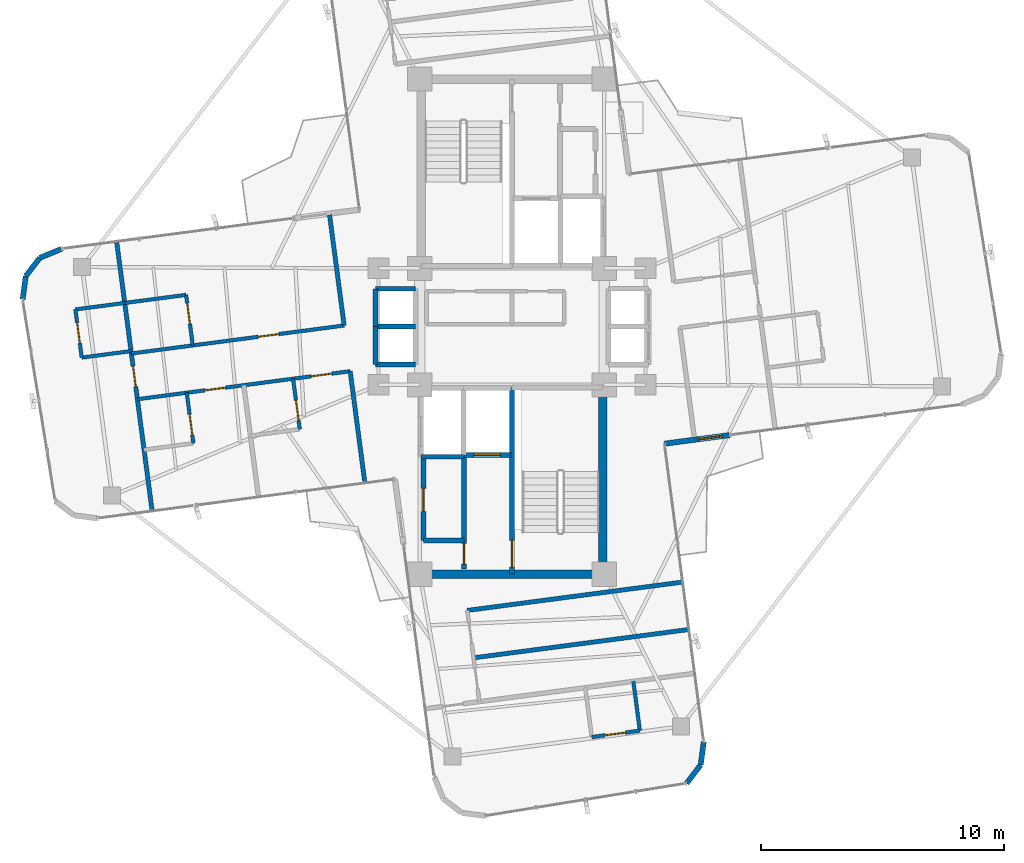
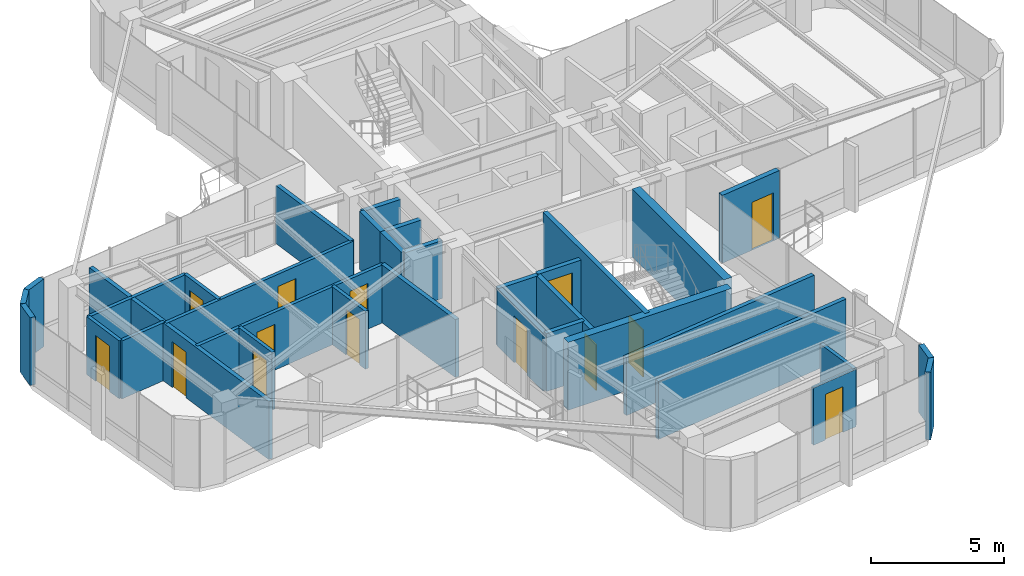
# One storey, part 19 of 22: 35 walls, 14 doors, 14 openings.
"""IFC4 building model written with IfcOpenShell, lengths in metres."""

from ifc_helpers import new_model, si_unit, direction, frame, frame_2d, origin, origin_2d, place, context, subcontext, project, spatial, rectangle, extrude, source, transform, mapped, material, layer, layer_set, type_object, element, fill, save


model = new_model("IFC4")

# Units and contexts
model_context = context("Model", 3, precision=1e-05, world=origin(), true_north=direction((0.0, 1.0)))
body_context = subcontext(model_context, "Body", "Model", "MODEL_VIEW")
ifc_project = project(units=[si_unit("LENGTHUNIT", "METRE"), si_unit("AREAUNIT", "SQUARE_METRE"), si_unit("VOLUMEUNIT", "CUBIC_METRE"), si_unit("PLANEANGLEUNIT", "RADIAN"), si_unit("MASSUNIT", "GRAM", prefix="KILO")], contexts=[model_context])

# Site, building, storey
site_placement = place(None, origin())
site = spatial("IfcSite", under=ifc_project, at=site_placement, CompositionType="ELEMENT")
building_placement = place(site_placement, origin())
building = spatial("IfcBuilding", under=site, at=building_placement, Name="Sahyath Konkavel Grand Hotel", CompositionType="ELEMENT")
storey_placement = place(building_placement, frame((0.0, 0.0, 257.89990234375)))
storey = spatial("IfcBuildingStorey", under=building, at=storey_placement, Name="L72", CompositionType="ELEMENT", Elevation=257.89990234375)

# Walls
ifc_material_1 = material(Name="Concrete C40/50", Category="concrete")
ifc_layer_1 = layer(ifc_material_1, 0.35009765625)
ifc_layer_set_1 = layer_set([ifc_layer_1], Name="Concrete C40/50")
wall_type_1 = type_object("IfcWallType", Name="CWALL-350", PredefinedType="SHEAR", material=ifc_layer_set_1)
wall_1_placement = place(storey_placement, frame((-3.550048828125, -10.199951171875, 0.0), z_axis=(0.0, 0.0, 1.0), x_axis=(1.0, 0.0, 0.0)))
element("IfcWall", 1, at=wall_1_placement, inside=storey, type_object=wall_type_1, Name="L72 South Core Shear Wall S", PredefinedType="SHEAR", context=body_context, shape_type="SweptSolid", body=[
    extrude(rectangle(XDim=7.10009765625, YDim=0.35009765625, at=frame_2d((3.550048828125, 0.0))), origin(), (0.0, 0.0, 1.0), 3.110107421875),
])
wall_2_placement = place(storey_placement, frame((3.739990234375, -9.75, 0.0), z_axis=(0.0, 0.0, 1.0), x_axis=(0.0, 1.0, 0.0)))
element("IfcWall", 2, at=wall_2_placement, inside=storey, type_object=wall_type_1, Name="L72 South Core Shear Wall E", PredefinedType="SHEAR", context=body_context, shape_type="SweptSolid", body=[
    extrude(rectangle(XDim=6.89990234375, YDim=0.35009765625, at=frame_2d((3.449951171875, 0.0))), origin(), (0.0, 0.0, 1.0), 3.110107421875),
])

# Wall, opening, door
ifc_material_2 = material(Name="Warm Buff Sandstone Insulated Concrete C40/50", Category="masonry")
ifc_layer_2 = layer(ifc_material_2, 0.219970703125)
ifc_layer_set_2 = layer_set([ifc_layer_2], Name="Warm Buff Sandstone Insulated Concrete C40/50")
wall_type_2 = type_object("IfcWallType", Name="WLL-BALC-THRESH", PredefinedType="STANDARD", material=ifc_layer_set_2)
wall_3_placement = place(storey_placement, frame((6.282958984375, -4.821044921875, 0.0), z_axis=(0.0, 0.0, 1.0), x_axis=(0.991451525486, 0.130475563272, 0.0)))
wall_3 = element("IfcWall", 3, at=wall_3_placement, inside=storey, type_object=wall_type_2, Name="L72 Winter-Garden Threshold Wall 0", PredefinedType="STANDARD", context=body_context, shape_type="SweptSolid", body=[
    extrude(rectangle(XDim=2.7001953125, YDim=0.219970703125, at=frame_2d((1.35009765625, 0.0))), origin(), (0.0, 0.0, 1.0), 3.110107421875),
])
opening_1_placement = place(wall_3_placement, frame((1.39990234375, 0.0, 0.0)))
opening_1 = element("IfcOpeningElement", 4, at=opening_1_placement, cuts=wall_3, Name="Opening D-TR1", PredefinedType="OPENING", context=body_context, shape_type="SweptSolid", body=[
    extrude(rectangle(XDim=1.0, YDim=2.199951171875, at=frame_2d((0.5, 1.10009765625))), frame((0.0, 0.1201171875, 0.0), z_axis=(0.0, -1.0, 0.0), x_axis=(1.0, 0.0, 0.0)), (0.0, 0.0, 1.0), 0.239990234375),
])
ifc_material_3 = material(Name="Anodised Bronze Aluminium & Low-E Glazing", Category="aluminium")
door_type_1 = type_object("IfcDoorType", Name="DR-TERRACE-1000", OperationType="NOTDEFINED", PredefinedType="DOOR", material=ifc_material_3)
shared_shape_1 = source(origin(), body_context, "Body", "SweptSolid", [
    extrude(rectangle(XDim=1.0, YDim=0.050048828125, at=origin_2d()), origin(), (0.0, 0.0, 1.0), 2.199951171875),
])
door_1_placement = place(opening_1_placement, frame((0.5, 0.0, 0.0)))
door_1 = element("IfcDoor", 5, at=door_1_placement, inside=storey, type_object=door_type_1, Name="L72 Winter-Garden Terrace Door 0", OperationType="SINGLE_SWING_LEFT", OverallHeight=2.199951171875, OverallWidth=1.0, PredefinedType="DOOR", context=body_context, shape_type="MappedRepresentation", body=[
    mapped(shared_shape_1, transform((0.0, 0.0, 0.0), scale=1.0)),
])
fill(opening_1, door_1)

# Walls
wall_4_placement = place(storey_placement, frame((-18.56689453125, 3.203857421875, 0.0), z_axis=(0.0, 0.0, 1.0), x_axis=(-0.923926759112, -0.382569397359, 0.0)))
element("IfcWall", 6, at=wall_4_placement, inside=storey, type_object=wall_type_2, Name="L72 Rounded Corner Sandstone Pier 17", PredefinedType="STANDARD", context=body_context, shape_type="SweptSolid", body=[
    extrude(rectangle(XDim=0.957763671875, YDim=0.219970703125, at=frame_2d((0.47900390625, 0.0))), origin(), (0.0, 0.0, 1.0), 3.110107421875),
])
for number, where, z_axis, x_axis, name in (
    (7, (-19.451904296875, 2.83740234375, 0.0), (0.0, 0.0, 1.0), (-0.60861352168, -0.793466811674, 0.0), "L72 Rounded Corner Sandstone Pier 18"),
    (8, (-20.03466796875, 2.07763671875, 0.0), (0.0, 0.0, 1.0), (-0.13056005306, -0.991440402921, 0.0), "L72 Rounded Corner Sandstone Pier 19"),
    (9, (7.1923828125, -18.814208984375, 0.0), (0.0, 0.0, 1.0), (0.608897151398, 0.793249178392, 0.0), "L72 Rounded Corner Sandstone Pier 29"),
):
    element("IfcWall", number, at=place(storey_placement, frame(where, z_axis=z_axis, x_axis=x_axis)), inside=storey, type_object=wall_type_2, Name=name, PredefinedType="STANDARD", context=body_context, shape_type="SweptSolid", body=[
        extrude(rectangle(XDim=0.95751953125, YDim=0.219970703125, at=frame_2d((0.478759765625, 0.0))), origin(), (0.0, 0.0, 1.0), 3.110107421875),
    ])
wall_5_placement = place(storey_placement, frame((7.775390625, -18.0546875, 0.0), z_axis=(0.0, 0.0, 1.0), x_axis=(0.130494070426, 0.991449089759, 0.0)))
element("IfcWall", 10, at=wall_5_placement, inside=storey, type_object=wall_type_2, Name="L72 Rounded Corner Sandstone Pier 30", PredefinedType="STANDARD", context=body_context, shape_type="SweptSolid", body=[
    extrude(rectangle(XDim=0.9580078125, YDim=0.219970703125, at=frame_2d((0.47900390625, 0.0))), origin(), (0.0, 0.0, 1.0), 3.110107421875),
])

# Wall, opening, door
ifc_layer_3 = layer(ifc_material_1, 0.199951171875)
ifc_layer_set_3 = layer_set([ifc_layer_3], Name="Concrete C40/50")
wall_type_3 = type_object("IfcWallType", Name="WLL-CORE-200", PredefinedType="SOLIDWALL", material=ifc_layer_set_3)
wall_6_placement = place(storey_placement, frame((0.0, -10.179931640625, 0.0), z_axis=(0.0, 0.0, 1.0), x_axis=(0.0, 1.0, 0.0)))
wall_6 = element("IfcWall", 11, at=wall_6_placement, inside=storey, type_object=wall_type_3, Name="L72 Stair ST-2 Shaft Wall W", PredefinedType="SOLIDWALL", context=body_context, shape_type="SweptSolid", body=[
    extrude(rectangle(XDim=7.679931640625, YDim=0.199951171875, at=frame_2d((3.83984375, 0.0))), origin(), (0.0, 0.0, 1.0), 3.110107421875),
])
opening_2_placement = place(wall_6_placement, frame((0.280029296875, 0.0, 0.0)))
opening_2 = element("IfcOpeningElement", 12, at=opening_2_placement, cuts=wall_6, Name="Opening D-F12B", PredefinedType="OPENING", context=body_context, shape_type="SweptSolid", body=[
    extrude(rectangle(XDim=1.10009765625, YDim=2.14990234375, at=frame_2d((0.550048828125, 1.074951171875))), frame((0.0, 0.10986328125, 0.0), z_axis=(0.0, -1.0, 0.0), x_axis=(1.0, 0.0, 0.0)), (0.0, 0.0, 1.0), 0.219970703125),
])
ifc_material_4 = material(Name="Steel E350 Smokeproof Fire Door", Category="steel")
door_type_2 = type_object("IfcDoorType", Name="DR-FD120-1100", OperationType="NOTDEFINED", PredefinedType="DOOR", material=ifc_material_4)
shared_shape_2 = source(origin(), body_context, "Body", "SweptSolid", [
    extrude(rectangle(XDim=1.10009765625, YDim=0.050048828125, at=origin_2d()), origin(), (0.0, 0.0, 1.0), 2.14990234375),
])
door_2_placement = place(opening_2_placement, frame((0.550048828125, 0.0, 0.0)))
door_2 = element("IfcDoor", 13, at=door_2_placement, inside=storey, type_object=door_type_2, Name="L72 Stair ST-2 Fire Door", OperationType="SINGLE_SWING_LEFT", OverallHeight=2.14990234375, OverallWidth=1.10009765625, PredefinedType="DOOR", context=body_context, shape_type="MappedRepresentation", body=[
    mapped(shared_shape_2, transform((0.0, 0.0, 0.0), scale=1.0)),
])
fill(opening_2, door_2)

wall_7_placement = place(storey_placement, frame((-1.97998046875, -9.97998046875, 0.0), z_axis=(0.0, 0.0, 1.0), x_axis=(0.0, 1.0, 0.0)))
wall_7 = element("IfcWall", 14, at=wall_7_placement, inside=storey, type_object=wall_type_3, Name="L72 South Firefighting Lobby Wall W", PredefinedType="SOLIDWALL", context=body_context, shape_type="SweptSolid", body=[
    extrude(rectangle(XDim=4.659912109375, YDim=0.199951171875, at=frame_2d((2.330078125, 0.0))), origin(), (0.0, 0.0, 1.0), 2.66015625),
])
opening_3_placement = place(wall_7_placement, frame((0.199951171875, 0.0, 0.0)))
opening_3 = element("IfcOpeningElement", 15, at=opening_3_placement, cuts=wall_7, Name="Opening D-F12D", PredefinedType="OPENING", context=body_context, shape_type="SweptSolid", body=[
    extrude(rectangle(XDim=0.85009765625, YDim=2.10009765625, at=frame_2d((0.425048828125, 1.050048828125))), frame((0.0, 0.10986328125, 0.0), z_axis=(0.0, -1.0, 0.0), x_axis=(1.0, 0.0, 0.0)), (0.0, 0.0, 1.0), 0.219970703125),
])
ifc_material_5 = material(Name="Steel E350 Core Fire Door", Category="steel")
door_type_3 = type_object("IfcDoorType", Name="DR-FD120-850", OperationType="NOTDEFINED", PredefinedType="DOOR", material=ifc_material_5)
shared_shape_3 = source(origin(), body_context, "Body", "SweptSolid", [
    extrude(rectangle(XDim=0.85009765625, YDim=0.050048828125, at=origin_2d()), origin(), (0.0, 0.0, 1.0), 2.10009765625),
])
door_3_placement = place(opening_3_placement, frame((0.425048828125, 0.0, 0.0)))
door_3 = element("IfcDoor", 16, at=door_3_placement, inside=storey, type_object=door_type_3, Name="L72 South Firefighting Lobby Door", OperationType="SINGLE_SWING_LEFT", OverallHeight=2.10009765625, OverallWidth=0.85009765625, PredefinedType="DOOR", context=body_context, shape_type="MappedRepresentation", body=[
    mapped(shared_shape_3, transform((0.0, 0.0, 0.0), scale=1.0)),
])
fill(opening_3, door_3)

wall_8_placement = place(storey_placement, frame((-1.97998046875, -5.280029296875, 0.0), z_axis=(0.0, 0.0, 1.0), x_axis=(1.0, 0.0, 0.0)))
wall_8 = element("IfcWall", 17, at=wall_8_placement, inside=storey, type_object=wall_type_3, Name="L72 Partition SH-FFL2-S", PredefinedType="SOLIDWALL", context=body_context, shape_type="SweptSolid", body=[
    extrude(rectangle(XDim=1.929931640625, YDim=0.199951171875, at=frame_2d((0.96484375, 0.0))), origin(), (0.0, 0.0, 1.0), 2.66015625),
])
opening_4_placement = place(wall_8_placement, frame((0.39990234375, 0.0, 0.0)))
opening_4 = element("IfcOpeningElement", 18, at=opening_4_placement, cuts=wall_8, Name="Opening LD-11", PredefinedType="OPENING", context=body_context, shape_type="SweptSolid", body=[
    extrude(rectangle(XDim=1.10009765625, YDim=2.199951171875, at=frame_2d((0.550048828125, 1.10009765625))), frame((0.0, 0.10986328125, 0.0), z_axis=(0.0, -1.0, 0.0), x_axis=(1.0, 0.0, 0.0)), (0.0, 0.0, 1.0), 0.219970703125),
])
ifc_material_6 = material(Name="Bronze Lift Landing Door 1100")
door_type_4 = type_object("IfcDoorType", Name="DR-LIFT-1100", OperationType="DOUBLE_DOOR_SLIDING", PredefinedType="DOOR", material=ifc_material_6)
shared_shape_4 = source(origin(), body_context, "Body", "SweptSolid", [
    extrude(rectangle(XDim=1.10009765625, YDim=0.050048828125, at=origin_2d()), origin(), (0.0, 0.0, 1.0), 2.199951171875),
])
door_4_placement = place(opening_4_placement, frame((0.550048828125, 0.0, 0.0)))
door_4 = element("IfcDoor", 19, at=door_4_placement, inside=storey, type_object=door_type_4, Name="L72 Lift FFL-2 Landing Door", OperationType="DOUBLE_DOOR_SLIDING", OverallHeight=2.199951171875, OverallWidth=1.10009765625, PredefinedType="DOOR", context=body_context, shape_type="MappedRepresentation", body=[
    mapped(shared_shape_4, transform((0.0, 0.0, 0.0), scale=1.0)),
])
fill(opening_4, door_4)

# Walls
wall_9_placement = place(storey_placement, frame((-3.739990234375, -5.360107421875, 0.0), z_axis=(0.0, 0.0, 1.0), x_axis=(1.0, 0.0, 0.0)))
element("IfcWall", 20, at=wall_9_placement, inside=storey, type_object=wall_type_3, Name="L72 Partition SH-SVL2-S", PredefinedType="SOLIDWALL", context=body_context, shape_type="SweptSolid", body=[
    extrude(rectangle(XDim=1.739990234375, YDim=0.199951171875, at=frame_2d((0.8701171875, 0.0))), origin(), (0.0, 0.0, 1.0), 2.66015625),
])
for number, where, z_axis, x_axis, name in (
    (21, (-5.6201171875, 1.56005859375, 0.0), (0.0, 0.0, 1.0), (1.0, 0.0, 0.0), "L72 Partition SH-SL12-N"),
    (22, (-5.6201171875, -1.56005859375, 0.0), (0.0, 0.0, 1.0), (1.0, 0.0, 0.0), "L72 Partition SH-SL12-S"),
    (23, (-5.6201171875, 0.0, 0.0), (0.0, 0.0, 1.0), (1.0, 0.0, 0.0), "L72 Partition SH-SL12-M"),
):
    element("IfcWall", number, at=place(storey_placement, frame(where, z_axis=z_axis, x_axis=x_axis)), inside=storey, type_object=wall_type_3, Name=name, PredefinedType="SOLIDWALL", context=body_context, shape_type="SweptSolid", body=[
        extrude(rectangle(XDim=1.64013671875, YDim=0.199951171875, at=frame_2d((0.820068359375, 0.0))), origin(), (0.0, 0.0, 1.0), 2.66015625),
    ])
for number, where, z_axis, x_axis, name in (
    (24, (-5.6201171875, 0.0, 0.0), (0.0, 0.0, 1.0), (0.0, 1.0, 0.0), "L72 Partition SH-SL1-W"),
    (25, (-5.6201171875, -1.56005859375, 0.0), (0.0, 0.0, 1.0), (0.0, 1.0, 0.0), "L72 Partition SH-SL2-W"),
):
    element("IfcWall", number, at=place(storey_placement, frame(where, z_axis=z_axis, x_axis=x_axis)), inside=storey, type_object=wall_type_3, Name=name, PredefinedType="SOLIDWALL", context=body_context, shape_type="SweptSolid", body=[
        extrude(rectangle(XDim=1.56005859375, YDim=0.199951171875, at=frame_2d((0.780029296875, 0.0))), origin(), (0.0, 0.0, 1.0), 2.66015625),
    ])

# Wall, opening, door
wall_10_placement = place(storey_placement, frame((-3.64990234375, -8.81005859375, 0.0), z_axis=(0.0, 0.0, 1.0), x_axis=(0.0, 1.0, 0.0)))
wall_10 = element("IfcWall", 26, at=wall_10_placement, inside=storey, type_object=wall_type_3, Name="L72 Reclaimed South Core Wall W", PredefinedType="SOLIDWALL", context=body_context, shape_type="SweptSolid", body=[
    extrude(rectangle(XDim=3.43017578125, YDim=0.199951171875, at=frame_2d((1.715087890625, 0.0))), origin(), (0.0, 0.0, 1.0), 2.66015625),
])
opening_5_placement = place(wall_10_placement, frame((1.199951171875, 0.0, 0.0)))
opening_5 = element("IfcOpeningElement", 27, at=opening_5_placement, cuts=wall_10, Name="Opening D-AC95", PredefinedType="OPENING", context=body_context, shape_type="SweptSolid", body=[
    extrude(rectangle(XDim=0.949951171875, YDim=2.14990234375, at=frame_2d((0.47509765625, 1.074951171875))), frame((0.0, 0.10986328125, 0.0), z_axis=(0.0, -1.0, 0.0), x_axis=(1.0, 0.0, 0.0)), (0.0, 0.0, 1.0), 0.219970703125),
])
ifc_material_7 = material(Name="Accessible Washroom Timber Door", Category="wood")
door_type_5 = type_object("IfcDoorType", Name="DR-ACC-950", OperationType="NOTDEFINED", PredefinedType="DOOR", material=ifc_material_7)
shared_shape_5 = source(origin(), body_context, "Body", "SweptSolid", [
    extrude(rectangle(XDim=0.949951171875, YDim=0.050048828125, at=origin_2d()), origin(), (0.0, 0.0, 1.0), 2.14990234375),
])
door_5_placement = place(opening_5_placement, frame((0.47509765625, 0.0, 0.0)))
door_5 = element("IfcDoor", 28, at=door_5_placement, inside=storey, type_object=door_type_5, Name="L72 Door SC-REC1-D", OperationType="SINGLE_SWING_LEFT", OverallHeight=2.14990234375, OverallWidth=0.949951171875, PredefinedType="DOOR", context=body_context, shape_type="MappedRepresentation", body=[
    mapped(shared_shape_5, transform((0.0, 0.0, 0.0), scale=1.0)),
])
fill(opening_5, door_5)

# Walls
wall_11_placement = place(storey_placement, frame((-3.64990234375, -8.81005859375, 0.0), z_axis=(0.0, 0.0, 1.0), x_axis=(1.0, 0.0, 0.0)))
element("IfcWall", 29, at=wall_11_placement, inside=storey, type_object=wall_type_3, Name="L72 Partition SC-REC-S", PredefinedType="SOLIDWALL", context=body_context, shape_type="SweptSolid", body=[
    extrude(rectangle(XDim=1.669921875, YDim=0.199951171875, at=frame_2d((0.8349609375, 0.0))), origin(), (0.0, 0.0, 1.0), 2.66015625),
])
ifc_material_8 = material(Name="Twin-Stud Acoustic Gypsum Plasterboard Partition")
ifc_layer_4 = layer(ifc_material_8, 0.179931640625)
ifc_layer_set_4 = layer_set([ifc_layer_4], Name="Twin-Stud Acoustic Gypsum Plasterboard Partition")
wall_type_4 = type_object("IfcWallType", Name="WLL-DEMISE-180", PredefinedType="PARTITIONING", material=ifc_layer_set_4)
for number, where, z_axis, x_axis, name in (
    (30, (-6.66748046875, -1.8359375, 0.0), (0.0, 0.0, 1.0), (0.130564346904, -0.991439837467, 0.0), "L72 Partition W-INL"),
    (31, (-7.515869140625, 4.6083984375, 0.0), (0.0, 0.0, 1.0), (0.130564346904, -0.991439837467, 0.0), "L72 Partition W-INR"),
):
    element("IfcWall", number, at=place(storey_placement, frame(where, z_axis=z_axis, x_axis=x_axis)), inside=storey, type_object=wall_type_4, Name=name, PredefinedType="PARTITIONING", context=body_context, shape_type="SweptSolid", body=[
        extrude(rectangle(XDim=4.599853515625, YDim=0.179931640625, at=frame_2d((2.2998046875, 0.0))), origin(), (0.0, 0.0, 1.0), 2.66015625),
    ])

# Wall, opening, door
wall_12_placement = place(storey_placement, frame((-16.2802734375, 3.45458984375, 0.0), z_axis=(0.0, 0.0, 1.0), x_axis=(0.130537009991, -0.991443437127, 0.0)))
wall_12 = element("IfcWall", 32, at=wall_12_placement, inside=storey, type_object=wall_type_4, Name="L72 Partition W-WTIP-END", PredefinedType="PARTITIONING", context=body_context, shape_type="SweptSolid", body=[
    extrude(rectangle(XDim=11.10009765625, YDim=0.179931640625, at=frame_2d((5.550048828125, 0.0))), origin(), (0.0, 0.0, 1.0), 2.66015625),
])
opening_6_placement = place(wall_12_placement, frame((5.125, 0.0, 0.0)))
opening_6 = element("IfcOpeningElement", 33, at=opening_6_placement, cuts=wall_12, Name="Opening D-F06D", PredefinedType="OPENING", context=body_context, shape_type="SweptSolid", body=[
    extrude(rectangle(XDim=0.85009765625, YDim=2.10009765625, at=frame_2d((0.425048828125, 1.050048828125))), frame((0.0, 0.10009765625, 0.0), z_axis=(0.0, -1.0, 0.0), x_axis=(1.0, 0.0, 0.0)), (0.0, 0.0, 1.0), 0.199951171875),
])
ifc_material_9 = material(Name="Fire-Rated Shaft Access Door")
door_type_6 = type_object("IfcDoorType", Name="DR-FD60-850", OperationType="NOTDEFINED", PredefinedType="DOOR", material=ifc_material_9)
door_6_placement = place(opening_6_placement, frame((0.425048828125, 0.0, 0.0)))
door_6 = element("IfcDoor", 34, at=door_6_placement, inside=storey, type_object=door_type_6, Name="L72 Door W-WTIP-ED", OperationType="SINGLE_SWING_LEFT", OverallHeight=2.10009765625, OverallWidth=0.85009765625, PredefinedType="DOOR", context=body_context, shape_type="MappedRepresentation", body=[
    mapped(shared_shape_3, transform((0.0, 0.0, 0.0), scale=1.0)),
])
fill(opening_6, door_6)

# Walls
for number, where, z_axis, x_axis, name in (
    (35, (-1.83984375, -11.690185546875, 0.0), (0.0, 0.0, 1.0), (0.991445516569, 0.130521215423, 0.0), "L72 Partition S-G6I"),
    (36, (-1.58251953125, -13.644287109375, 0.0), (0.0, 0.0, 1.0), (0.991445516569, 0.130521215423, 0.0), "L72 Partition S-SSL6-DEM"),
):
    element("IfcWall", number, at=place(storey_placement, frame(where, z_axis=z_axis, x_axis=x_axis)), inside=storey, type_object=wall_type_4, Name=name, PredefinedType="PARTITIONING", context=body_context, shape_type="SweptSolid", body=[
        extrude(rectangle(XDim=8.89990234375, YDim=0.179931640625, at=frame_2d((4.449951171875, 0.0))), origin(), (0.0, 0.0, 1.0), 2.66015625),
    ])

# Wall, openings, doors
ifc_material_10 = material(Name="Fire-Rated Gypsum Plasterboard Partition")
ifc_layer_5 = layer(ifc_material_10, 0.14990234375)
ifc_layer_set_5 = layer_set([ifc_layer_5], Name="Fire-Rated Gypsum Plasterboard Partition")
wall_type_5 = type_object("IfcWallType", Name="WLL-PART-150", PredefinedType="PARTITIONING", material=ifc_layer_set_5)
wall_13_placement = place(storey_placement, frame((-6.66748046875, -1.8359375, 0.0), z_axis=(0.0, 0.0, 1.0), x_axis=(-0.991445551178, -0.13052095253, 0.0)))
wall_13 = element("IfcWall", 37, at=wall_13_placement, inside=storey, type_object=wall_type_5, Name="L72 Partition W-CL", PredefinedType="PARTITIONING", context=body_context, shape_type="SweptSolid", body=[
    extrude(rectangle(XDim=8.840087890625, YDim=0.14990234375, at=frame_2d((4.419921875, 0.0))), origin(), (0.0, 0.0, 1.0), 2.66015625),
])
opening_7_placement = place(wall_13_placement, frame((0.760009765625, 0.0, 0.0)))
opening_7 = element("IfcOpeningElement", 38, at=opening_7_placement, cuts=wall_13, Name="Opening D-F06D", PredefinedType="OPENING", context=body_context, shape_type="SweptSolid", body=[
    extrude(rectangle(XDim=0.85009765625, YDim=2.10009765625, at=frame_2d((0.425048828125, 1.050048828125))), frame((0.0, 0.0849609375, 0.0), z_axis=(0.0, -1.0, 0.0), x_axis=(1.0, 0.0, 0.0)), (0.0, 0.0, 1.0), 0.169921875),
])
opening_8_placement = place(wall_13_placement, frame((5.179931640625, 0.0, 0.0)))
opening_8 = element("IfcOpeningElement", 39, at=opening_8_placement, cuts=wall_13, Name="Opening D-F06D", PredefinedType="OPENING", context=body_context, shape_type="SweptSolid", body=[
    extrude(rectangle(XDim=0.85009765625, YDim=2.10009765625, at=frame_2d((0.425048828125, 1.050048828125))), frame((0.0, 0.0849609375, 0.0), z_axis=(0.0, -1.0, 0.0), x_axis=(1.0, 0.0, 0.0)), (0.0, 0.0, 1.0), 0.169921875),
])
door_7_placement = place(opening_7_placement, frame((0.425048828125, 0.0, 0.0)))
door_7 = element("IfcDoor", 40, at=door_7_placement, inside=storey, type_object=door_type_6, Name="L72 Door W-W4L1-ED", OperationType="SINGLE_SWING_LEFT", OverallHeight=2.10009765625, OverallWidth=0.85009765625, PredefinedType="DOOR", context=body_context, shape_type="MappedRepresentation", body=[
    mapped(shared_shape_3, transform((0.0, 0.0, 0.0), scale=1.0)),
])
fill(opening_7, door_7)
door_8_placement = place(opening_8_placement, frame((0.425048828125, 0.0, 0.0)))
door_8 = element("IfcDoor", 41, at=door_8_placement, inside=storey, type_object=door_type_6, Name="L72 Door W-W4L2-ED", OperationType="SINGLE_SWING_LEFT", OverallHeight=2.10009765625, OverallWidth=0.85009765625, PredefinedType="DOOR", context=body_context, shape_type="MappedRepresentation", body=[
    mapped(shared_shape_3, transform((0.0, 0.0, 0.0), scale=1.0)),
])
fill(opening_8, door_8)

# Wall, opening, door
wall_14_placement = place(storey_placement, frame((-6.915283203125, 0.0478515625, 0.0), z_axis=(0.0, 0.0, 1.0), x_axis=(-0.991441976975, -0.130548099534, 0.0)))
wall_14 = element("IfcWall", 42, at=wall_14_placement, inside=storey, type_object=wall_type_5, Name="L72 Partition W-CR", PredefinedType="PARTITIONING", context=body_context, shape_type="SweptSolid", body=[
    extrude(rectangle(XDim=8.840087890625, YDim=0.14990234375, at=frame_2d((4.419921875, 0.0))), origin(), (0.0, 0.0, 1.0), 2.66015625),
])
opening_9_placement = place(wall_14_placement, frame((2.719970703125, 0.0, 0.0)))
opening_9 = element("IfcOpeningElement", 43, at=opening_9_placement, cuts=wall_14, Name="Opening D-F06D", PredefinedType="OPENING", context=body_context, shape_type="SweptSolid", body=[
    extrude(rectangle(XDim=0.85009765625, YDim=2.10009765625, at=frame_2d((0.425048828125, 1.050048828125))), frame((0.0, 0.0849609375, 0.0), z_axis=(0.0, -1.0, 0.0), x_axis=(1.0, 0.0, 0.0)), (0.0, 0.0, 1.0), 0.169921875),
])
door_9_placement = place(opening_9_placement, frame((0.425048828125, 0.0, 0.0)))
door_9 = element("IfcDoor", 44, at=door_9_placement, inside=storey, type_object=door_type_6, Name="L72 Door W-W4R1-ED", OperationType="SINGLE_SWING_LEFT", OverallHeight=2.10009765625, OverallWidth=0.85009765625, PredefinedType="DOOR", context=body_context, shape_type="MappedRepresentation", body=[
    mapped(shared_shape_3, transform((0.0, 0.0, 0.0), scale=1.0)),
])
fill(opening_9, door_9)

wall_15_placement = place(storey_placement, frame((-9.01708984375, -2.145263671875, 0.0), z_axis=(0.0, 0.0, 1.0), x_axis=(0.130556761174, -0.991440836415, 0.0)))
wall_15 = element("IfcWall", 45, at=wall_15_placement, inside=storey, type_object=wall_type_5, Name="L72 Partition W-W4L1-BS", PredefinedType="PARTITIONING", context=body_context, shape_type="SweptSolid", body=[
    extrude(rectangle(XDim=2.10009765625, YDim=0.14990234375, at=frame_2d((1.050048828125, 0.0))), origin(), (0.0, 0.0, 1.0), 2.66015625),
])
opening_10_placement = place(wall_15_placement, frame((0.89990234375, 0.0, 0.0)))
opening_10 = element("IfcOpeningElement", 46, at=opening_10_placement, cuts=wall_15, Name="Opening D-BT85", PredefinedType="OPENING", context=body_context, shape_type="SweptSolid", body=[
    extrude(rectangle(XDim=0.85009765625, YDim=2.10009765625, at=frame_2d((0.425048828125, 1.050048828125))), frame((0.0, 0.0849609375, 0.0), z_axis=(0.0, -1.0, 0.0), x_axis=(1.0, 0.0, 0.0)), (0.0, 0.0, 1.0), 0.169921875),
])
ifc_material_11 = material(Name="Moisture-Resistant Teak Bathroom Door")
door_type_7 = type_object("IfcDoorType", Name="DR-BATH-850", OperationType="NOTDEFINED", PredefinedType="DOOR", material=ifc_material_11)
door_10_placement = place(opening_10_placement, frame((0.425048828125, 0.0, 0.0)))
door_10 = element("IfcDoor", 47, at=door_10_placement, inside=storey, type_object=door_type_7, Name="L72 Door W-W4L1-BD", OperationType="SINGLE_SWING_RIGHT", OverallHeight=2.10009765625, OverallWidth=0.85009765625, PredefinedType="DOOR", context=body_context, shape_type="MappedRepresentation", body=[
    mapped(shared_shape_3, transform((0.0, 0.0, 0.0), scale=1.0)),
])
fill(opening_10, door_10)

wall_16_placement = place(storey_placement, frame((-13.3994140625, -2.72216796875, 0.0), z_axis=(0.0, 0.0, 1.0), x_axis=(0.130556761174, -0.991440836415, 0.0)))
wall_16 = element("IfcWall", 48, at=wall_16_placement, inside=storey, type_object=wall_type_5, Name="L72 Partition W-W4L2-BS", PredefinedType="PARTITIONING", context=body_context, shape_type="SweptSolid", body=[
    extrude(rectangle(XDim=2.10009765625, YDim=0.14990234375, at=frame_2d((1.050048828125, 0.0))), origin(), (0.0, 0.0, 1.0), 2.66015625),
])
opening_11_placement = place(wall_16_placement, frame((0.89990234375, 0.0, 0.0)))
opening_11 = element("IfcOpeningElement", 49, at=opening_11_placement, cuts=wall_16, Name="Opening D-BT85", PredefinedType="OPENING", context=body_context, shape_type="SweptSolid", body=[
    extrude(rectangle(XDim=0.85009765625, YDim=2.10009765625, at=frame_2d((0.425048828125, 1.050048828125))), frame((0.0, 0.0849609375, 0.0), z_axis=(0.0, -1.0, 0.0), x_axis=(1.0, 0.0, 0.0)), (0.0, 0.0, 1.0), 0.169921875),
])
door_11_placement = place(opening_11_placement, frame((0.425048828125, 0.0, 0.0)))
door_11 = element("IfcDoor", 50, at=door_11_placement, inside=storey, type_object=door_type_7, Name="L72 Door W-W4L2-BD", OperationType="SINGLE_SWING_RIGHT", OverallHeight=2.10009765625, OverallWidth=0.85009765625, PredefinedType="DOOR", context=body_context, shape_type="MappedRepresentation", body=[
    mapped(shared_shape_3, transform((0.0, 0.0, 0.0), scale=1.0)),
])
fill(opening_11, door_11)

wall_17_placement = place(storey_placement, frame((-13.151611328125, -0.773193359375, 0.0), z_axis=(0.0, 0.0, 1.0), x_axis=(-0.130556761174, 0.991440836415, 0.0)))
wall_17 = element("IfcWall", 51, at=wall_17_placement, inside=storey, type_object=wall_type_5, Name="L72 Partition W-W4R1-BS", PredefinedType="PARTITIONING", context=body_context, shape_type="SweptSolid", body=[
    extrude(rectangle(XDim=2.10009765625, YDim=0.14990234375, at=frame_2d((1.050048828125, 0.0))), origin(), (0.0, 0.0, 1.0), 2.66015625),
])
opening_12_placement = place(wall_17_placement, frame((0.89990234375, 0.0, 0.0)))
opening_12 = element("IfcOpeningElement", 52, at=opening_12_placement, cuts=wall_17, Name="Opening D-BT85", PredefinedType="OPENING", context=body_context, shape_type="SweptSolid", body=[
    extrude(rectangle(XDim=0.85009765625, YDim=2.10009765625, at=frame_2d((0.425048828125, 1.050048828125))), frame((0.0, 0.0849609375, 0.0), z_axis=(0.0, -1.0, 0.0), x_axis=(1.0, 0.0, 0.0)), (0.0, 0.0, 1.0), 0.169921875),
])
door_12_placement = place(opening_12_placement, frame((0.425048828125, 0.0, 0.0)))
door_12 = element("IfcDoor", 53, at=door_12_placement, inside=storey, type_object=door_type_7, Name="L72 Door W-W4R1-BD", OperationType="SINGLE_SWING_RIGHT", OverallHeight=2.10009765625, OverallWidth=0.85009765625, PredefinedType="DOOR", context=body_context, shape_type="MappedRepresentation", body=[
    mapped(shared_shape_3, transform((0.0, 0.0, 0.0), scale=1.0)),
])
fill(opening_12, door_12)

# Walls
wall_18_placement = place(storey_placement, frame((-13.42578125, 1.308837890625, 0.0), z_axis=(0.0, 0.0, 1.0), x_axis=(-0.991448102558, -0.130501570622, 0.0)))
element("IfcWall", 54, at=wall_18_placement, inside=storey, type_object=wall_type_5, Name="L72 Partition W-W4R1-BF", PredefinedType="PARTITIONING", context=body_context, shape_type="SweptSolid", body=[
    extrude(rectangle(XDim=2.5498046875, YDim=0.14990234375, at=frame_2d((1.27490234375, 0.0))), origin(), (0.0, 0.0, 1.0), 2.66015625),
])
for number, where, z_axis, x_axis, name in (
    (55, (-15.69287109375, -1.0068359375, 0.0), (0.0, 0.0, 1.0), (-0.991444969909, -0.13052536781, 0.0), "L72 Partition W-WTIP-BN"),
    (56, (-15.953857421875, 0.97607421875, 0.0), (0.0, 0.0, 1.0), (-0.991444969909, -0.13052536781, 0.0), "L72 Partition W-WTIP-BS"),
):
    element("IfcWall", number, at=place(storey_placement, frame(where, z_axis=z_axis, x_axis=x_axis)), inside=storey, type_object=wall_type_5, Name=name, PredefinedType="PARTITIONING", context=body_context, shape_type="SweptSolid", body=[
        extrude(rectangle(XDim=2.050048828125, YDim=0.14990234375, at=frame_2d((1.02490234375, 0.0))), origin(), (0.0, 0.0, 1.0), 2.66015625),
    ])

# Wall, opening, door
wall_19_placement = place(storey_placement, frame((-17.986328125, 0.70849609375, 0.0), z_axis=(0.0, 0.0, 1.0), x_axis=(0.130492404742, -0.991449308994, 0.0)))
wall_19 = element("IfcWall", 57, at=wall_19_placement, inside=storey, type_object=wall_type_5, Name="L72 Partition W-WTIP-BE", PredefinedType="PARTITIONING", context=body_context, shape_type="SweptSolid", body=[
    extrude(rectangle(XDim=2.0, YDim=0.14990234375, at=frame_2d((1.0, 0.0))), origin(), (0.0, 0.0, 1.0), 2.66015625),
])
opening_13_placement = place(wall_19_placement, frame((0.550048828125, 0.0, 0.0)))
opening_13 = element("IfcOpeningElement", 58, at=opening_13_placement, cuts=wall_19, Name="Opening D-BT85", PredefinedType="OPENING", context=body_context, shape_type="SweptSolid", body=[
    extrude(rectangle(XDim=0.85009765625, YDim=2.10009765625, at=frame_2d((0.425048828125, 1.050048828125))), frame((0.0, 0.0849609375, 0.0), z_axis=(0.0, -1.0, 0.0), x_axis=(1.0, 0.0, 0.0)), (0.0, 0.0, 1.0), 0.169921875),
])
door_13_placement = place(opening_13_placement, frame((0.425048828125, 0.0, 0.0)))
door_13 = element("IfcDoor", 59, at=door_13_placement, inside=storey, type_object=door_type_7, Name="L72 Door W-WTIP-BD", OperationType="SINGLE_SWING_RIGHT", OverallHeight=2.10009765625, OverallWidth=0.85009765625, PredefinedType="DOOR", context=body_context, shape_type="MappedRepresentation", body=[
    mapped(shared_shape_3, transform((0.0, 0.0, 0.0), scale=1.0)),
])
fill(opening_13, door_13)

# Wall
wall_20_placement = place(storey_placement, frame((5.0, -14.6123046875, 0.0), z_axis=(0.0, 0.0, 1.0), x_axis=(0.13052536781, -0.991444969909, 0.0)))
element("IfcWall", 60, at=wall_20_placement, inside=storey, type_object=wall_type_5, Name="L72 Partition S-STIP-BN", PredefinedType="PARTITIONING", context=body_context, shape_type="SweptSolid", body=[
    extrude(rectangle(XDim=2.050048828125, YDim=0.14990234375, at=frame_2d((1.02490234375, 0.0))), origin(), (0.0, 0.0, 1.0), 2.66015625),
])

# Wall, opening, door
wall_21_placement = place(storey_placement, frame((3.284912109375, -16.906005859375, 0.0), z_axis=(0.0, 0.0, 1.0), x_axis=(0.991431426231, 0.130628201708, 0.0)))
wall_21 = element("IfcWall", 61, at=wall_21_placement, inside=storey, type_object=wall_type_5, Name="L72 Partition S-STIP-BE", PredefinedType="PARTITIONING", context=body_context, shape_type="SweptSolid", body=[
    extrude(rectangle(XDim=1.999755859375, YDim=0.14990234375, at=frame_2d((1.0, 0.0))), origin(), (0.0, 0.0, 1.0), 2.630126953125),
])
opening_14_placement = place(wall_21_placement, frame((0.550048828125, 0.0, 0.0)))
opening_14 = element("IfcOpeningElement", 62, at=opening_14_placement, cuts=wall_21, Name="Opening D-BT85", PredefinedType="OPENING", context=body_context, shape_type="SweptSolid", body=[
    extrude(rectangle(XDim=0.85009765625, YDim=2.10009765625, at=frame_2d((0.425048828125, 1.050048828125))), frame((0.0, 0.0849609375, 0.0), z_axis=(0.0, -1.0, 0.0), x_axis=(1.0, 0.0, 0.0)), (0.0, 0.0, 1.0), 0.169921875),
])
door_14_placement = place(opening_14_placement, frame((0.425048828125, 0.0, 0.0)))
door_14 = element("IfcDoor", 63, at=door_14_placement, inside=storey, type_object=door_type_7, Name="L72 Door S-STIP-BD", OperationType="SINGLE_SWING_RIGHT", OverallHeight=2.10009765625, OverallWidth=0.85009765625, PredefinedType="DOOR", context=body_context, shape_type="MappedRepresentation", body=[
    mapped(shared_shape_3, transform((0.0, 0.0, 0.0), scale=1.0)),
])
fill(opening_14, door_14)

save(model, "model.ifc")
